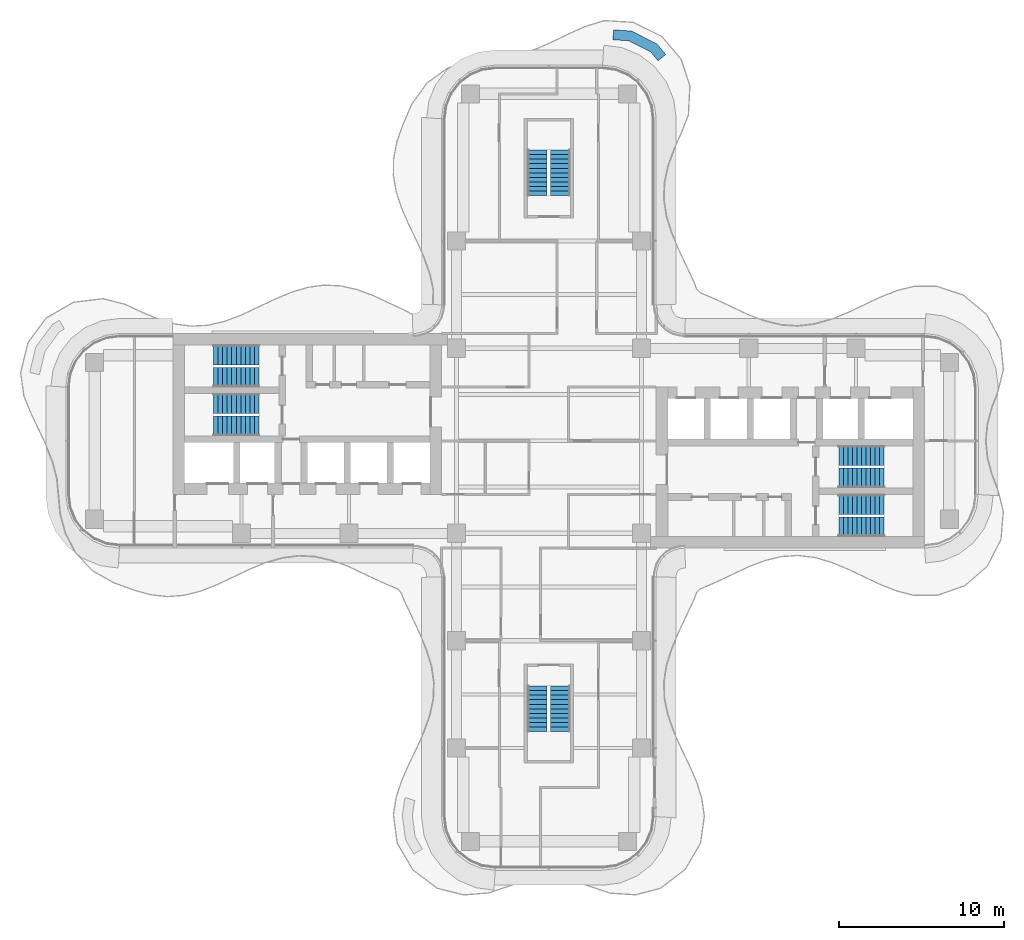
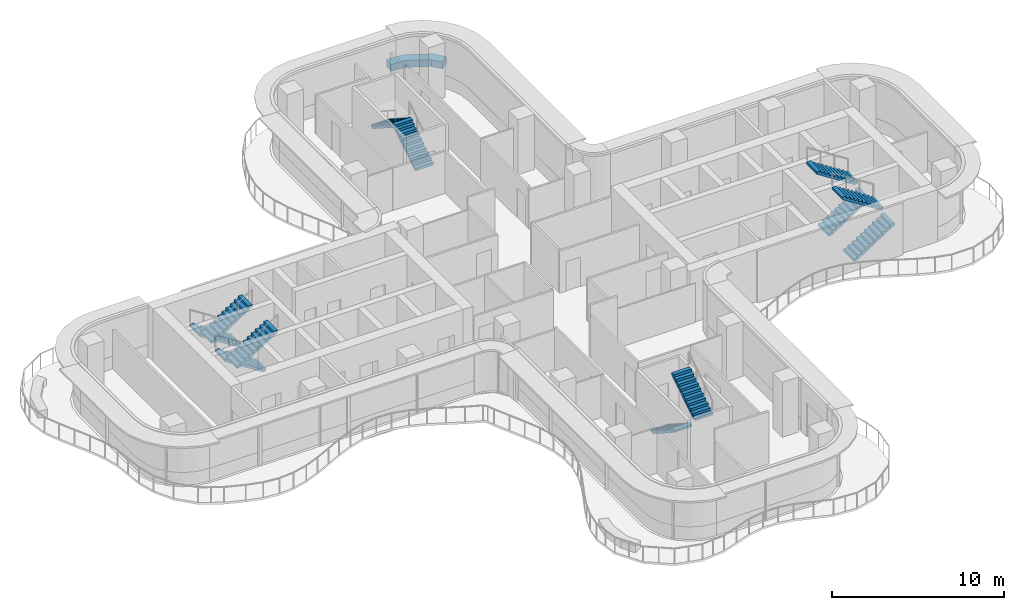
# One storey, part 15 of 17: 12 stair flights, 1 wall, 6 elements without a shape of their own.
"""IFC4 building model written with IfcOpenShell, lengths in metres."""

from ifc_helpers import new_model, si_unit, direction, frame, origin, place, context, subcontext, project, spatial, polyline, outline, extrude, source, transform, mapped, material, layer, layer_set, type_object, element, aggregate, save


model = new_model("IFC4")

# Units and contexts
model_context = context("Model", 3, precision=1e-05, world=origin(), true_north=direction((0.0, 1.0)))
body_context = subcontext(model_context, "Body", "Model", "MODEL_VIEW")
ifc_project = project(units=[si_unit("LENGTHUNIT", "METRE"), si_unit("AREAUNIT", "SQUARE_METRE"), si_unit("VOLUMEUNIT", "CUBIC_METRE"), si_unit("PLANEANGLEUNIT", "RADIAN"), si_unit("MASSUNIT", "GRAM", prefix="KILO")], contexts=[model_context])

# Site, building, storey
site_placement = place(None, origin())
site = spatial("IfcSite", under=ifc_project, at=site_placement, CompositionType="ELEMENT")
building_placement = place(site_placement, origin())
building = spatial("IfcBuilding", under=site, at=building_placement, Name="Trellis Farm Tower", CompositionType="ELEMENT")
storey_placement = place(building_placement, frame((0.0, 0.0, 236.300048828125)))
storey = spatial("IfcBuildingStorey", under=building, at=storey_placement, Name="L52", CompositionType="ELEMENT", Elevation=236.300048828125)

# Wall
ifc_material_1 = material(Name="Sandstone faced masonry planter", Category="masonry")
ifc_layer = layer(ifc_material_1, 0.60009765625)
ifc_layer_set = layer_set([ifc_layer], Name="PLANTER BED 600")
wall_type = type_object("IfcWallType", Name="PLANTER BED 600", PredefinedType="USERDEFINED", material=ifc_layer_set)
placement = place(storey_placement, origin())
element("IfcWall", 1, at=placement, inside=storey, type_object=wall_type, Name="PLANTER bed", ObjectType="PLANTER", PredefinedType="USERDEFINED", context=body_context, shape_type="SweptSolid", body=[
    extrude(outline(polyline([(6.54150390625, 24.026123046875), (7.07470703125, 23.390625), (6.614990234375, 23.005126953125), (6.160400390625, 23.547119140625), (4.845703125, 24.217041015625), (3.877197265625, 24.281982421875), (3.917236328125, 24.880615234375), (5.008544921875, 24.8076171875), (6.54150390625, 24.026123046875)])), origin(), (0.0, 0.0, 1.0), 0.5),
])

# Stair, stair flights
ifc_material_2 = material(Name="Concrete C50/60", Category="concrete")
stair_type = type_object("IfcStairType", Name="CORE EXIT STAIR 22 RISERS 177 MM", PredefinedType="HALF_TURN_STAIR", material=ifc_material_2)
stair_1 = element("IfcStair", 2, at=placement, inside=storey, type_object=stair_type, Name="Exit stair N", PredefinedType="HALF_TURN_STAIR")
stair_flight_type = type_object("IfcStairFlightType", Name="STAIR FLIGHT 11 RISERS 177 MM", PredefinedType="STRAIGHT", material=ifc_material_2)
shared_shape = source(origin(), body_context, "Body", "SweptSolid", [
    extrude(outline(polyline([(0.0, 0.0), (0.0, 0.17724609375), (0.27490234375, 0.17724609375), (0.27490234375, 0.3544921875), (0.550048828125, 0.3544921875), (0.550048828125, 0.53173828125), (0.824951171875, 0.53173828125), (0.824951171875, 0.708984375), (1.10009765625, 0.708984375), (1.10009765625, 0.886474609375), (1.375, 0.886474609375), (1.375, 1.063720703125), (1.64990234375, 1.063720703125), (1.64990234375, 1.240966796875), (1.925048828125, 1.240966796875), (1.925048828125, 1.418212890625), (2.199951171875, 1.418212890625), (2.199951171875, 1.595458984375), (2.47509765625, 1.595458984375), (2.47509765625, 1.772705078125), (2.75, 1.772705078125), (2.75, 1.949951171875), (2.75, 1.6181640625), (0.23974609375, 0.0), (0.0, 0.0)])), frame((0.0, 0.60009765625, 0.0), z_axis=(0.0, -1.0, 0.0), x_axis=(1.0, 0.0, 0.0)), (0.0, 0.0, 1.0), 1.199951171875),
])
stair_flight_1_placement = place(storey_placement, frame((0.699951171875, 14.85009765625, 0.0), z_axis=(0.0, 0.0, 1.0), x_axis=(0.0, 1.0, 0.0)))
stair_flight_1 = element("IfcStairFlight", 3, at=stair_flight_1_placement, type_object=stair_flight_type, Name="STN flight 1", NumberOfRisers=11, NumberOfTreads=10, PredefinedType="STRAIGHT", RiserHeight=0.177272727, TreadLength=0.275, context=body_context, shape_type="MappedRepresentation", body=[
    mapped(shared_shape, transform((0.0, 0.0, 0.0))),
])
stair_flight_2_placement = place(storey_placement, frame((-0.699951171875, 17.60009765625, 1.949951171875), z_axis=(0.0, 0.0, 1.0), x_axis=(0.0, -1.0, 0.0)))
stair_flight_2 = element("IfcStairFlight", 4, at=stair_flight_2_placement, type_object=stair_flight_type, Name="STN flight 2", NumberOfRisers=11, NumberOfTreads=10, PredefinedType="STRAIGHT", RiserHeight=0.177272727, TreadLength=0.275, context=body_context, shape_type="MappedRepresentation", body=[
    mapped(shared_shape, transform((0.0, 0.0, 0.0))),
])
aggregate(stair_1, [stair_flight_1, stair_flight_2])

stair_2 = element("IfcStair", 5, at=placement, inside=storey, type_object=stair_type, Name="Exit stair S", PredefinedType="HALF_TURN_STAIR")
stair_flight_3_placement = place(storey_placement, frame((-0.699951171875, -14.85009765625, 0.0), z_axis=(0.0, 0.0, 1.0), x_axis=(0.0, -1.0, 0.0)))
stair_flight_3 = element("IfcStairFlight", 6, at=stair_flight_3_placement, type_object=stair_flight_type, Name="STS flight 1", NumberOfRisers=11, NumberOfTreads=10, PredefinedType="STRAIGHT", RiserHeight=0.177272727, TreadLength=0.275, context=body_context, shape_type="MappedRepresentation", body=[
    mapped(shared_shape, transform((0.0, 0.0, 0.0))),
])
stair_flight_4_placement = place(storey_placement, frame((0.699951171875, -17.60009765625, 1.949951171875), z_axis=(0.0, 0.0, 1.0), x_axis=(0.0, 1.0, 0.0)))
stair_flight_4 = element("IfcStairFlight", 7, at=stair_flight_4_placement, type_object=stair_flight_type, Name="STS flight 2", NumberOfRisers=11, NumberOfTreads=10, PredefinedType="STRAIGHT", RiserHeight=0.177272727, TreadLength=0.275, context=body_context, shape_type="MappedRepresentation", body=[
    mapped(shared_shape, transform((0.0, 0.0, 0.0))),
])
aggregate(stair_2, [stair_flight_3, stair_flight_4])

stair_3 = element("IfcStair", 8, at=placement, inside=storey, type_object=stair_type, Name="Exit stair E1", PredefinedType="HALF_TURN_STAIR")
stair_flight_5_placement = place(storey_placement, frame((17.550048828125, -5.199951171875, 0.0), z_axis=(0.0, 0.0, 1.0), x_axis=(1.0, 0.0, 0.0)))
stair_flight_5 = element("IfcStairFlight", 9, at=stair_flight_5_placement, type_object=stair_flight_type, Name="STE1 flight 1", NumberOfRisers=11, NumberOfTreads=10, PredefinedType="STRAIGHT", RiserHeight=0.177272727, TreadLength=0.275, context=body_context, shape_type="MappedRepresentation", body=[
    mapped(shared_shape, transform((0.0, 0.0, 0.0))),
])
stair_flight_6_placement = place(storey_placement, frame((20.300048828125, -3.85009765625, 1.949951171875), z_axis=(0.0, 0.0, 1.0), x_axis=(-1.0, 0.0, 0.0)))
stair_flight_6 = element("IfcStairFlight", 10, at=stair_flight_6_placement, type_object=stair_flight_type, Name="STE1 flight 2", NumberOfRisers=11, NumberOfTreads=10, PredefinedType="STRAIGHT", RiserHeight=0.177272727, TreadLength=0.275, context=body_context, shape_type="MappedRepresentation", body=[
    mapped(shared_shape, transform((0.0, 0.0, 0.0))),
])
aggregate(stair_3, [stair_flight_5, stair_flight_6])

stair_4 = element("IfcStair", 11, at=placement, inside=storey, type_object=stair_type, Name="Exit stair E2", PredefinedType="HALF_TURN_STAIR")
stair_flight_7_placement = place(storey_placement, frame((17.550048828125, -2.25, 0.0), z_axis=(0.0, 0.0, 1.0), x_axis=(1.0, 0.0, 0.0)))
stair_flight_7 = element("IfcStairFlight", 12, at=stair_flight_7_placement, type_object=stair_flight_type, Name="STE2 flight 1", NumberOfRisers=11, NumberOfTreads=10, PredefinedType="STRAIGHT", RiserHeight=0.177272727, TreadLength=0.275, context=body_context, shape_type="MappedRepresentation", body=[
    mapped(shared_shape, transform((0.0, 0.0, 0.0))),
])
stair_flight_8_placement = place(storey_placement, frame((20.300048828125, -0.89990234375, 1.949951171875), z_axis=(0.0, 0.0, 1.0), x_axis=(-1.0, 0.0, 0.0)))
stair_flight_8 = element("IfcStairFlight", 13, at=stair_flight_8_placement, type_object=stair_flight_type, Name="STE2 flight 2", NumberOfRisers=11, NumberOfTreads=10, PredefinedType="STRAIGHT", RiserHeight=0.177272727, TreadLength=0.275, context=body_context, shape_type="MappedRepresentation", body=[
    mapped(shared_shape, transform((0.0, 0.0, 0.0))),
])
aggregate(stair_4, [stair_flight_7, stair_flight_8])

stair_5 = element("IfcStair", 14, at=placement, inside=storey, type_object=stair_type, Name="Exit stair W1", PredefinedType="HALF_TURN_STAIR")
stair_flight_9_placement = place(storey_placement, frame((-17.550048828125, 5.199951171875, 0.0), z_axis=(0.0, 0.0, 1.0), x_axis=(-1.0, 0.0, 0.0)))
stair_flight_9 = element("IfcStairFlight", 15, at=stair_flight_9_placement, type_object=stair_flight_type, Name="STW1 flight 1", NumberOfRisers=11, NumberOfTreads=10, PredefinedType="STRAIGHT", RiserHeight=0.177272727, TreadLength=0.275, context=body_context, shape_type="MappedRepresentation", body=[
    mapped(shared_shape, transform((0.0, 0.0, 0.0))),
])
stair_flight_10_placement = place(storey_placement, frame((-20.300048828125, 3.85009765625, 1.949951171875), z_axis=(0.0, 0.0, 1.0), x_axis=(1.0, 0.0, 0.0)))
stair_flight_10 = element("IfcStairFlight", 16, at=stair_flight_10_placement, type_object=stair_flight_type, Name="STW1 flight 2", NumberOfRisers=11, NumberOfTreads=10, PredefinedType="STRAIGHT", RiserHeight=0.177272727, TreadLength=0.275, context=body_context, shape_type="MappedRepresentation", body=[
    mapped(shared_shape, transform((0.0, 0.0, 0.0))),
])
aggregate(stair_5, [stair_flight_9, stair_flight_10])

stair_6 = element("IfcStair", 17, at=placement, inside=storey, type_object=stair_type, Name="Exit stair W2", PredefinedType="HALF_TURN_STAIR")
stair_flight_11_placement = place(storey_placement, frame((-17.550048828125, 2.25, 0.0), z_axis=(0.0, 0.0, 1.0), x_axis=(-1.0, 0.0, 0.0)))
stair_flight_11 = element("IfcStairFlight", 18, at=stair_flight_11_placement, type_object=stair_flight_type, Name="STW2 flight 1", NumberOfRisers=11, NumberOfTreads=10, PredefinedType="STRAIGHT", RiserHeight=0.177272727, TreadLength=0.275, context=body_context, shape_type="MappedRepresentation", body=[
    mapped(shared_shape, transform((0.0, 0.0, 0.0))),
])
stair_flight_12_placement = place(storey_placement, frame((-20.300048828125, 0.89990234375, 1.949951171875), z_axis=(0.0, 0.0, 1.0), x_axis=(1.0, 0.0, 0.0)))
stair_flight_12 = element("IfcStairFlight", 19, at=stair_flight_12_placement, type_object=stair_flight_type, Name="STW2 flight 2", NumberOfRisers=11, NumberOfTreads=10, PredefinedType="STRAIGHT", RiserHeight=0.177272727, TreadLength=0.275, context=body_context, shape_type="MappedRepresentation", body=[
    mapped(shared_shape, transform((0.0, 0.0, 0.0))),
])
aggregate(stair_6, [stair_flight_11, stair_flight_12])

save(model, "model.ifc")
